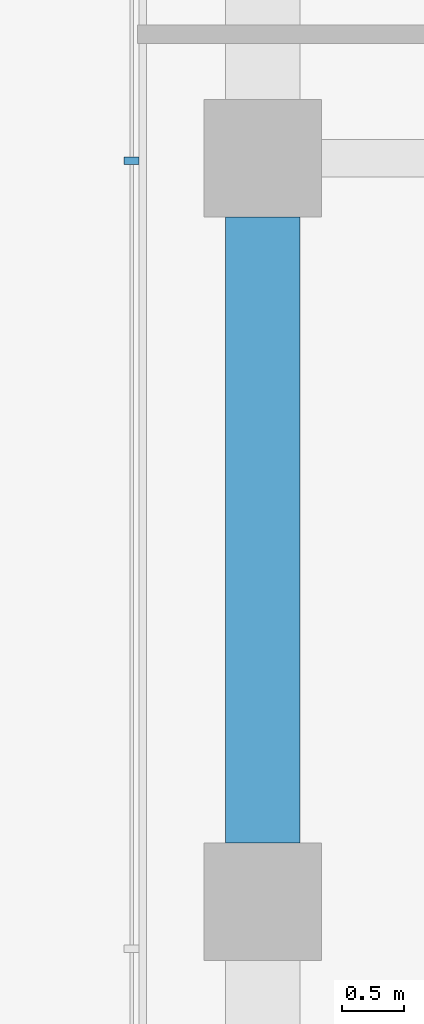
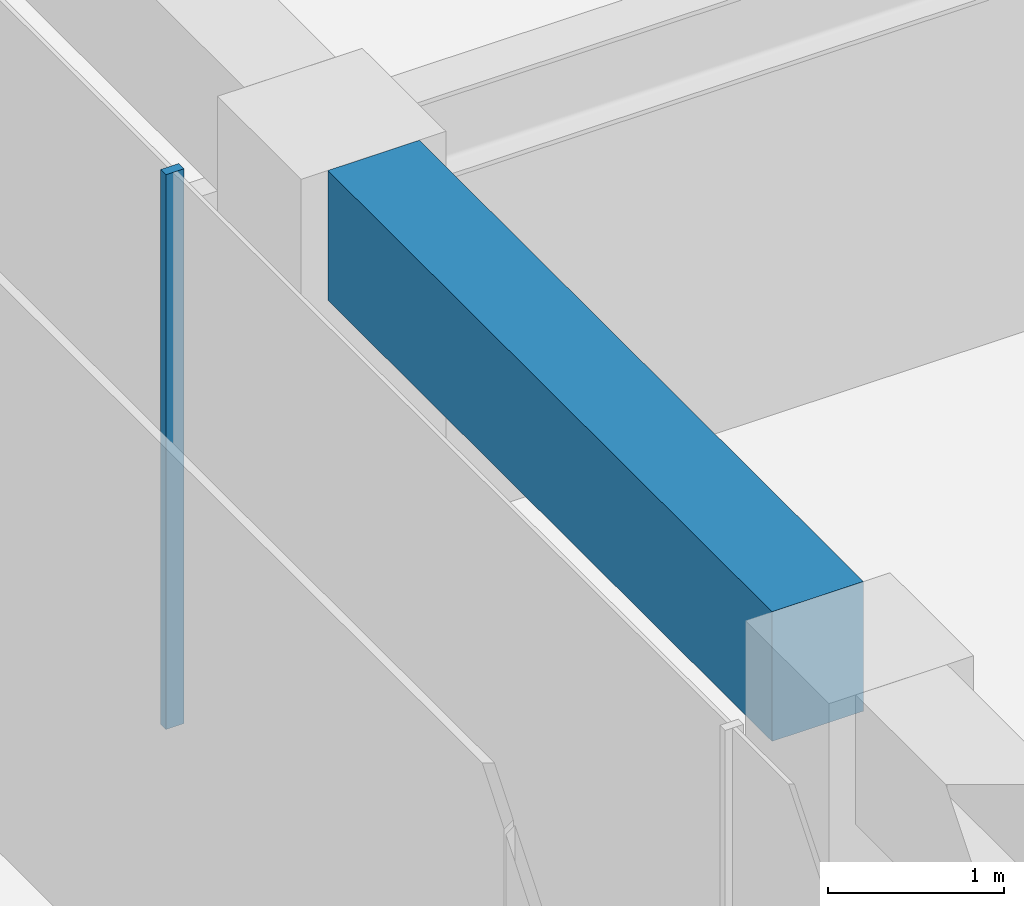
# One storey, part 14 of 29: 1 beam, 1 member, 1 element without a shape of its own.
"""IFC4 building model written with IfcOpenShell, lengths in metres."""

from ifc_helpers import new_model, si_unit, direction, frame, origin, origin_2d, place, context, subcontext, project, spatial, rectangle, extrude, material, layer, layer_set, material_profile, profile_set, type_object, element, aggregate, save


model = new_model("IFC4")

# Units and contexts
model_context = context("Model", 3, precision=1e-05, world=origin(), true_north=direction((0.0, 1.0)))
body_context = subcontext(model_context, "Body", "Model", "MODEL_VIEW")
ifc_project = project(units=[si_unit("LENGTHUNIT", "METRE"), si_unit("AREAUNIT", "SQUARE_METRE"), si_unit("VOLUMEUNIT", "CUBIC_METRE"), si_unit("PLANEANGLEUNIT", "RADIAN"), si_unit("MASSUNIT", "GRAM", prefix="KILO")], contexts=[model_context])

# Site, building, storey
site_placement = place(None, origin())
site = spatial("IfcSite", under=ifc_project, at=site_placement, CompositionType="ELEMENT")
building_placement = place(site_placement, origin())
building = spatial("IfcBuilding", under=site, at=building_placement, Name="Welwitschia Terrace Campus", CompositionType="ELEMENT")
storey_placement = place(building_placement, frame((0.0, 0.0, 41.60009765625)))
storey = spatial("IfcBuildingStorey", under=building, at=storey_placement, Name="L09", CompositionType="ELEMENT", Elevation=41.60009765625)

# Curtain wall, member
ifc_material_1 = material(Name="Bronze anodised aluminium", Category="aluminium")
ifc_layer = layer(ifc_material_1, 0.1201171875)
ifc_layer_set = layer_set([ifc_layer], Name="Bronze anodised aluminium")
curtain_wall_type = type_object("IfcCurtainWallType", Name="Curtain wall CW2 tower 6000", PredefinedType="NOTDEFINED", material=ifc_layer_set)
curtain_wall_placement = place(storey_placement, origin())
curtain_wall = element("IfcCurtainWall", 1, at=curtain_wall_placement, inside=storey, type_object=curtain_wall_type, Name="CW L09.13.0", PredefinedType="NOTDEFINED")
ifc_material_2 = material(Name="Bronze anodised aluminium", Category="aluminium")
ifc_material_profile_1 = material_profile(ifc_material_2, rectangle(XDim=0.1201171875, YDim=0.06005859375, at=origin_2d()))
ifc_profile_set_1 = profile_set([ifc_material_profile_1], Name="Bronze anodised aluminium")
member_type = type_object("IfcMemberType", Name="Mullion 60x120", PredefinedType="MULLION", material=ifc_profile_set_1)
member_placement = place(storey_placement, frame((-1.05810546875, 43.978759765625, 0.0), z_axis=(0.0, 0.0, 1.0), x_axis=(1.0, 0.0, 0.0)))
member = element("IfcMember", 2, at=member_placement, type_object=member_type, Name="Mullion L09.13.0.3", PredefinedType="MULLION", context=body_context, shape_type="SweptSolid", body=[
    extrude(rectangle(XDim=0.1201171875, YDim=0.06005859375, at=origin_2d()), origin(), (0.0, 0.0, 1.0), 3.849853515625),
])
aggregate(curtain_wall, [member])

# Beam
ifc_material_3 = material(Name="Concrete C60/75", Category="concrete")
ifc_material_profile_2 = material_profile(ifc_material_3, rectangle(XDim=0.60009765625, YDim=0.89990234375, at=origin_2d()))
ifc_profile_set_2 = profile_set([ifc_material_profile_2], Name="Concrete C60/75")
beam_type = type_object("IfcBeamType", Name="Ring spandrel 600x900", PredefinedType="SPANDREL", material=ifc_profile_set_2)
beam_placement = place(storey_placement, frame((0.0, 43.5244140625, 3.39990234375), z_axis=(0.0, -1.0, 0.0), x_axis=(1.0, 0.0, 0.0)))
element("IfcBeam", 3, at=beam_placement, inside=storey, type_object=beam_type, Name="Spandrel SP2", PredefinedType="SPANDREL", context=body_context, shape_type="SweptSolid", body=[
    extrude(rectangle(XDim=0.60009765625, YDim=0.89990234375, at=origin_2d()), origin(), (0.0, 0.0, 1.0), 5.048828125),
])

save(model, "model.ifc")
